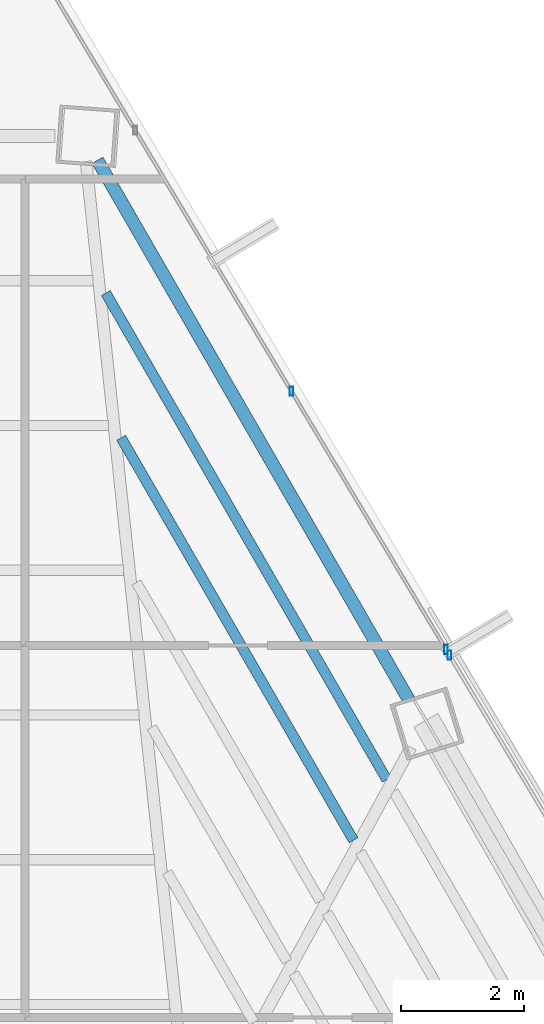
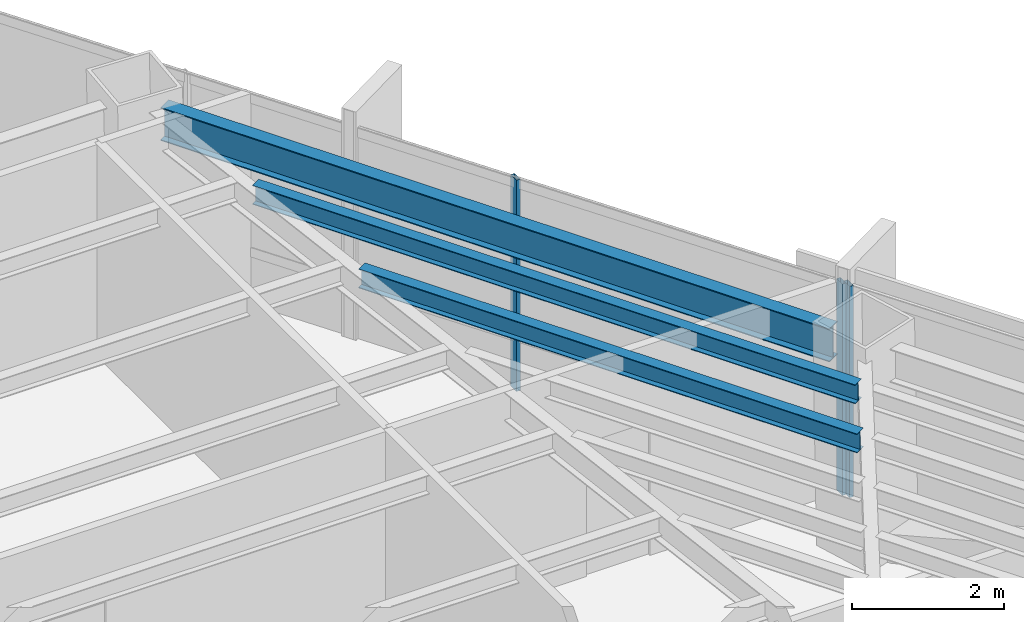
# One storey, part 32 of 41: 3 beams, 3 members, 2 elements without a shape of their own.
"""IFC4 building model written with IfcOpenShell, lengths in metres."""

from ifc_helpers import new_model, si_unit, direction, frame, origin, origin_2d, place, context, subcontext, project, spatial, hollow_rectangle, i_section, extrude, source, transform, mapped, material, material_profile, profile_set, type_object, type_shapes, element, aggregate, save


model = new_model("IFC4")

# Units and contexts
model_context = context("Model", 3, precision=1e-05, world=origin(), true_north=direction((0.0, 1.0)))
body_context = subcontext(model_context, "Body", "Model", "MODEL_VIEW")
ifc_project = project(units=[si_unit("LENGTHUNIT", "METRE"), si_unit("AREAUNIT", "SQUARE_METRE"), si_unit("VOLUMEUNIT", "CUBIC_METRE"), si_unit("PLANEANGLEUNIT", "RADIAN"), si_unit("MASSUNIT", "GRAM", prefix="KILO")], contexts=[model_context])

# Site, building, storey
site_placement = place(None, origin())
site = spatial("IfcSite", under=ifc_project, at=site_placement, CompositionType="ELEMENT")
building_placement = place(site_placement, origin())
building = spatial("IfcBuilding", under=site, at=building_placement, Name="Caelisora Broadcast Tower", CompositionType="ELEMENT")
storey_placement = place(building_placement, frame((0.0, 0.0, 173.10009765625)))
storey = spatial("IfcBuildingStorey", under=building, at=storey_placement, Name="L45", CompositionType="ELEMENT", Elevation=173.10009765625)

# Beams
ifc_material_1 = material(Name="Steel Grade 350 (AS/NZS 3679.1)", Category="steel")
ifc_material_profile_1 = material_profile(ifc_material_1, i_section(OverallWidth=0.208984375, OverallDepth=0.532958984375, WebThickness=0.01025390625, FlangeThickness=0.015625, at=origin_2d()), Name="Steel Grade 350 (AS/NZS 3679.1)")
ifc_profile_set_1 = profile_set([ifc_material_profile_1], Name="Steel Grade 350 (AS/NZS 3679.1)")
beam_type_1 = type_object("IfcBeamType", Name="PG05", PredefinedType="BEAM", material=ifc_profile_set_1)
shared_shape_1 = source(origin(), body_context, "Body", "SweptSolid", [
    extrude(i_section(OverallWidth=0.208984375, OverallDepth=0.532958984375, WebThickness=0.01025390625, FlangeThickness=0.015625, at=origin_2d()), origin(), (0.0, 0.0, 1.0), 10.173828125),
])
type_shapes(beam_type_1, [shared_shape_1])
beam_1_placement = place(storey_placement, frame((49.065673828125, 37.3251953125, 3.13330078125), z_axis=(-0.50000011042, 0.866025340034, 0.0), x_axis=(-0.866025340034, -0.50000011042, 0.0)))
element("IfcBeam", 1, at=beam_1_placement, inside=storey, type_object=beam_type_1, Name="L45 beam PG05", PredefinedType="BEAM", context=body_context, shape_type="MappedRepresentation", body=[
    mapped(shared_shape_1, transform((0.0, 0.0, 0.0), scale=1.0)),
])
ifc_material_profile_2 = material_profile(ifc_material_1, i_section(OverallWidth=0.166015625, OverallDepth=0.30712890625, WebThickness=0.006591796875, FlangeThickness=0.01171875, at=origin_2d()), Name="Steel Grade 350 (AS/NZS 3679.1)")
ifc_profile_set_2 = profile_set([ifc_material_profile_2], Name="Steel Grade 350 (AS/NZS 3679.1)")
beam_type_2 = type_object("IfcBeamType", Name="SB03", PredefinedType="JOIST", material=ifc_profile_set_2)
shared_shape_2 = source(origin(), body_context, "Body", "SweptSolid", [
    extrude(i_section(OverallWidth=0.166015625, OverallDepth=0.30712890625, WebThickness=0.006591796875, FlangeThickness=0.01171875, at=origin_2d()), origin(), (0.0, 0.0, 1.0), 7.58349609375),
])
beam_2_placement = place(storey_placement, frame((48.156982421875, 35.041748046875, 3.246337890625), z_axis=(-0.499992766374, 0.86602958008, 0.0), x_axis=(-0.86602958008, -0.499992766374, 0.0)))
element("IfcBeam", 2, at=beam_2_placement, inside=storey, type_object=beam_type_2, Name="L45 beam SB03", PredefinedType="JOIST", context=body_context, shape_type="MappedRepresentation", body=[
    mapped(shared_shape_2, transform((0.0, 0.0, 0.0), scale=1.0)),
])
shared_shape_3 = source(origin(), body_context, "Body", "SweptSolid", [
    extrude(i_section(OverallWidth=0.166015625, OverallDepth=0.30712890625, WebThickness=0.006591796875, FlangeThickness=0.01171875, at=origin_2d()), origin(), (0.0, 0.0, 1.0), 9.168212890625),
])
type_shapes(beam_type_2, [shared_shape_2, shared_shape_3])
beam_3_placement = place(storey_placement, frame((48.69921875, 36.03125, 3.246337890625), z_axis=(-0.500008279101, 0.866020623791, 0.0), x_axis=(-0.866020623791, -0.500008279101, 0.0)))
element("IfcBeam", 3, at=beam_3_placement, inside=storey, type_object=beam_type_2, Name="L45 beam SB03", PredefinedType="JOIST", context=body_context, shape_type="MappedRepresentation", body=[
    mapped(shared_shape_3, transform((0.0, 0.0, 0.0), scale=1.0)),
])

# Curtain wall, members
ifc_material_2 = material(Name="Unitised Aluminium and Low-E Glass Curtain Wall", Category="glass")
curtain_wall_type_1 = type_object("IfcCurtainWallType", Name="CW-Z3", PredefinedType="NOTDEFINED", material=ifc_material_2)
curtain_wall_1_placement = place(storey_placement, origin())
curtain_wall_1 = element("IfcCurtainWall", 4, at=curtain_wall_1_placement, inside=storey, type_object=curtain_wall_type_1, Name="L45 curtain wall CW-Z3", PredefinedType="NOTDEFINED")
ifc_material_3 = material(Name="Aluminium 6063-T6 Anodised Terracotta Bronze", Category="aluminium")
ifc_material_profile_3 = material_profile(ifc_material_3, hollow_rectangle(XDim=0.06005859375, YDim=0.14990234375, WallThickness=0.00341796875, at=origin_2d()), Name="Aluminium 6063-T6 Anodised Terracotta Bronze")
ifc_profile_set_3 = profile_set([ifc_material_profile_3], Name="Aluminium 6063-T6 Anodised Terracotta Bronze")
member_type = type_object("IfcMemberType", Name="CWM-03", PredefinedType="MULLION", material=ifc_profile_set_3)
shared_shape_4 = source(origin(), body_context, "Body", "SweptSolid", [
    extrude(hollow_rectangle(XDim=0.06005859375, YDim=0.14990234375, WallThickness=0.00341796875, at=origin_2d()), origin(), (0.0, 0.0, 1.0), 3.39990234375),
])
type_shapes(member_type, [shared_shape_4])
member_1_placement = place(storey_placement, frame((47.1435546875, 42.368896484375, 0.0), z_axis=(0.0, 0.0, 1.0), x_axis=(1.0, 0.0, 0.0)))
member_1 = element("IfcMember", 5, at=member_1_placement, type_object=member_type, Name="L45-CW-B01 mullion #2", PredefinedType="MULLION", context=body_context, shape_type="MappedRepresentation", body=[
    mapped(shared_shape_4, transform((0.0, 0.0, 0.0), scale=1.0)),
])
member_2_placement = place(storey_placement, frame((49.6669921875, 38.154296875, 0.0), z_axis=(0.0, 0.0, 1.0), x_axis=(1.0, 0.0, 0.0)))
member_2 = element("IfcMember", 6, at=member_2_placement, type_object=member_type, Name="L45-CW-B01 mullion #3", PredefinedType="MULLION", context=body_context, shape_type="MappedRepresentation", body=[
    mapped(shared_shape_4, transform((0.0, 0.0, 0.0), scale=1.0)),
])
aggregate(curtain_wall_1, [member_1, member_2])

# Curtain wall, member
ifc_material_4 = material(Name="Unitised Aluminium Insulated Shadow-Box Spandrel Curtain Wall", Category="aluminium")
curtain_wall_type_2 = type_object("IfcCurtainWallType", Name="CW-SP2", PredefinedType="NOTDEFINED", material=ifc_material_4)
curtain_wall_2_placement = place(storey_placement, origin())
curtain_wall_2 = element("IfcCurtainWall", 7, at=curtain_wall_2_placement, inside=storey, type_object=curtain_wall_type_2, Name="L45 curtain wall CW-SP2", PredefinedType="NOTDEFINED")
member_3_placement = place(storey_placement, frame((49.723388671875, 38.06005859375, 0.0), z_axis=(0.0, 0.0, 1.0), x_axis=(1.0, 0.0, 0.0)))
member_3 = element("IfcMember", 8, at=member_3_placement, type_object=member_type, Name="L45-CW-B02 mullion #0", PredefinedType="MULLION", context=body_context, shape_type="MappedRepresentation", body=[
    mapped(shared_shape_4, transform((0.0, 0.0, 0.0), scale=1.0)),
])
aggregate(curtain_wall_2, [member_3])

save(model, "model.ifc")
